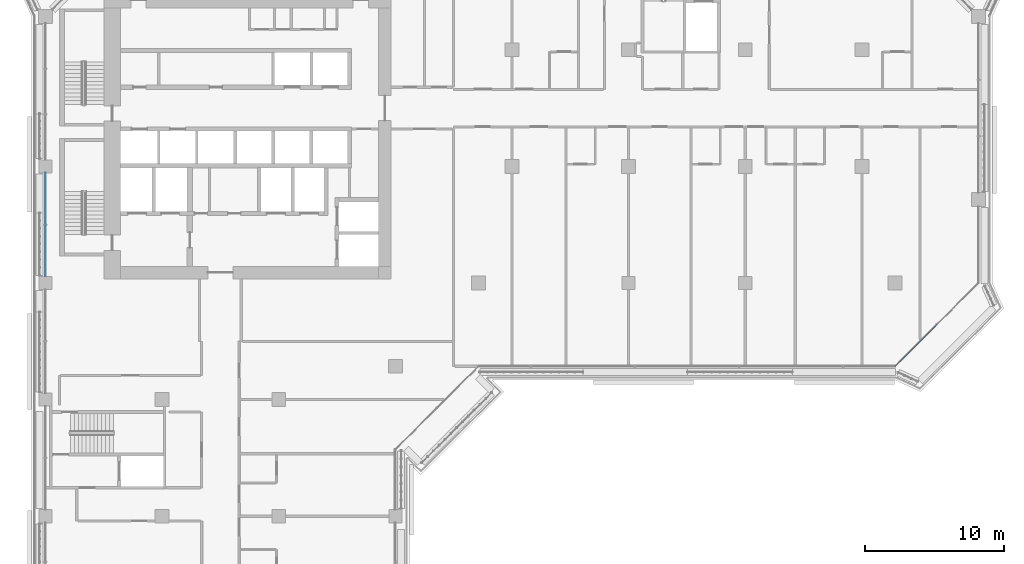
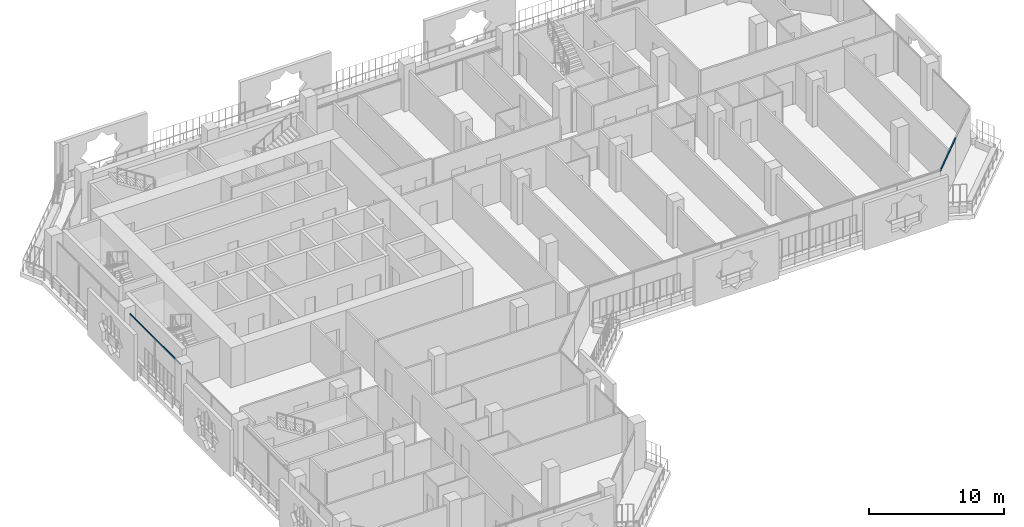
# One storey, part 4 of 21: 2 members, 2 elements without a shape of their own.
"""IFC4 building model written with IfcOpenShell, lengths in metres."""

from ifc_helpers import new_model, si_unit, direction, frame, origin, origin_2d, place, context, subcontext, project, spatial, rectangle, extrude, material, layer, layer_set, material_profile, profile_set, type_object, element, aggregate, save


model = new_model("IFC4")

# Units and contexts
model_context = context("Model", 3, precision=1e-05, world=origin(), true_north=direction((0.0, 1.0)))
body_context = subcontext(model_context, "Body", "Model", "MODEL_VIEW")
ifc_project = project(units=[si_unit("LENGTHUNIT", "METRE"), si_unit("AREAUNIT", "SQUARE_METRE"), si_unit("VOLUMEUNIT", "CUBIC_METRE"), si_unit("PLANEANGLEUNIT", "RADIAN"), si_unit("MASSUNIT", "GRAM", prefix="KILO")], contexts=[model_context])

# Site, building, storey
site_placement = place(None, origin())
site = spatial("IfcSite", under=ifc_project, at=site_placement, CompositionType="ELEMENT")
building_placement = place(site_placement, origin())
building = spatial("IfcBuilding", under=site, at=building_placement, Name="Kawkab Arch Medical Tower", CompositionType="ELEMENT")
storey_placement = place(building_placement, frame((0.0, 0.0, 192.0)))
storey = spatial("IfcBuildingStorey", under=building, at=storey_placement, Name="L44", CompositionType="ELEMENT", Elevation=192.0)

# Curtain wall, member
ifc_material_1 = material(Name="Bronze anodised aluminium curtain wall frame", Category="aluminium")
ifc_layer_1 = layer(ifc_material_1, 0.159912109375)
ifc_layer_set_1 = layer_set([ifc_layer_1], Name="Bronze anodised aluminium curtain wall frame")
curtain_wall_type_1 = type_object("IfcCurtainWallType", Name="CW1 ward curtain wall", PredefinedType="NOTDEFINED", material=ifc_layer_set_1)
placement = place(storey_placement, origin())
curtain_wall_1 = element("IfcCurtainWall", 1, at=placement, inside=storey, type_object=curtain_wall_type_1, Name="CW1 Ward curtain wall R01", PredefinedType="NOTDEFINED")
ifc_material_2 = material(Name="Bronze anodised aluminium curtain wall frame", Category="aluminium")
ifc_material_profile_1 = material_profile(ifc_material_2, rectangle(XDim=0.06005859375, YDim=0.1201171875, at=origin_2d()), Name="AL 60x120")
ifc_profile_set_1 = profile_set([ifc_material_profile_1], Name="Bronze anodised aluminium curtain wall frame")
member_type_1 = type_object("IfcMemberType", Name="CW1 transom 120 x 60", PredefinedType="USERDEFINED", material=ifc_profile_set_1)
member_1_placement = place(storey_placement, frame((0.0, -17.27490234375, 3.5400390625), z_axis=(0.0, -1.0, 0.0), x_axis=(1.0, 0.0, 0.0)))
member_1 = element("IfcMember", 2, at=member_1_placement, type_object=member_type_1, Name="CW1 transom 2", ObjectType="TRANSOM", PredefinedType="USERDEFINED", context=body_context, shape_type="SweptSolid", body=[
    extrude(rectangle(XDim=0.06005859375, YDim=0.1201171875, at=origin_2d()), origin(), (0.0, 0.0, 1.0), 7.4501953125),
])
aggregate(curtain_wall_1, [member_1])

ifc_material_3 = material(Name="Bronze anodised aluminium curtain wall frame", Category="aluminium")
ifc_layer_2 = layer(ifc_material_3, 0.159912109375)
ifc_layer_set_2 = layer_set([ifc_layer_2], Name="Bronze anodised aluminium curtain wall frame")
curtain_wall_type_2 = type_object("IfcCurtainWallType", Name="CW2 chamfer curtain wall", PredefinedType="NOTDEFINED", material=ifc_layer_set_2)
curtain_wall_2 = element("IfcCurtainWall", 3, at=placement, inside=storey, type_object=curtain_wall_type_2, Name="CW2 Chamfer curtain wall R08", PredefinedType="NOTDEFINED")
ifc_material_4 = material(Name="Bronze anodised aluminium curtain wall frame", Category="aluminium")
ifc_material_profile_2 = material_profile(ifc_material_4, rectangle(XDim=0.06005859375, YDim=0.139892578125, at=origin_2d()), Name="AL 60x140")
ifc_profile_set_2 = profile_set([ifc_material_profile_2], Name="Bronze anodised aluminium curtain wall frame")
member_type_2 = type_object("IfcMemberType", Name="CW2 transom 140 x 60", PredefinedType="USERDEFINED", material=ifc_profile_set_2)
member_2_placement = place(storey_placement, frame((61.199951171875, -31.199951171875, 3.530029296875), z_axis=(0.707106781187, 0.707106781187, 0.0), x_axis=(-0.707106781187, 0.707106781187, 0.0)))
member_2 = element("IfcMember", 4, at=member_2_placement, type_object=member_type_2, Name="CW2 transom 1", ObjectType="TRANSOM", PredefinedType="USERDEFINED", context=body_context, shape_type="SweptSolid", body=[
    extrude(rectangle(XDim=0.06005859375, YDim=0.139892578125, at=origin_2d()), origin(), (0.0, 0.0, 1.0), 4.24267578125),
])
aggregate(curtain_wall_2, [member_2])

save(model, "model.ifc")
